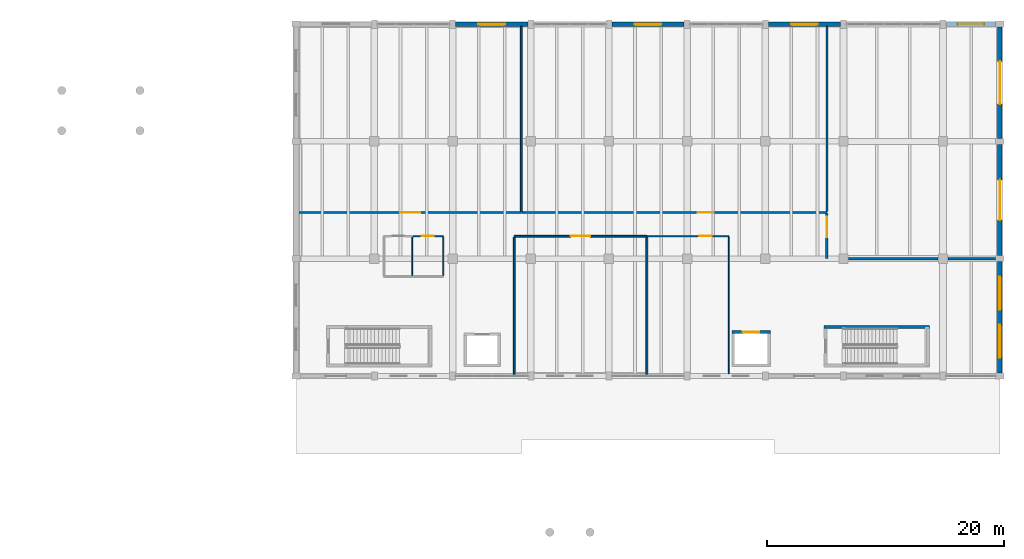
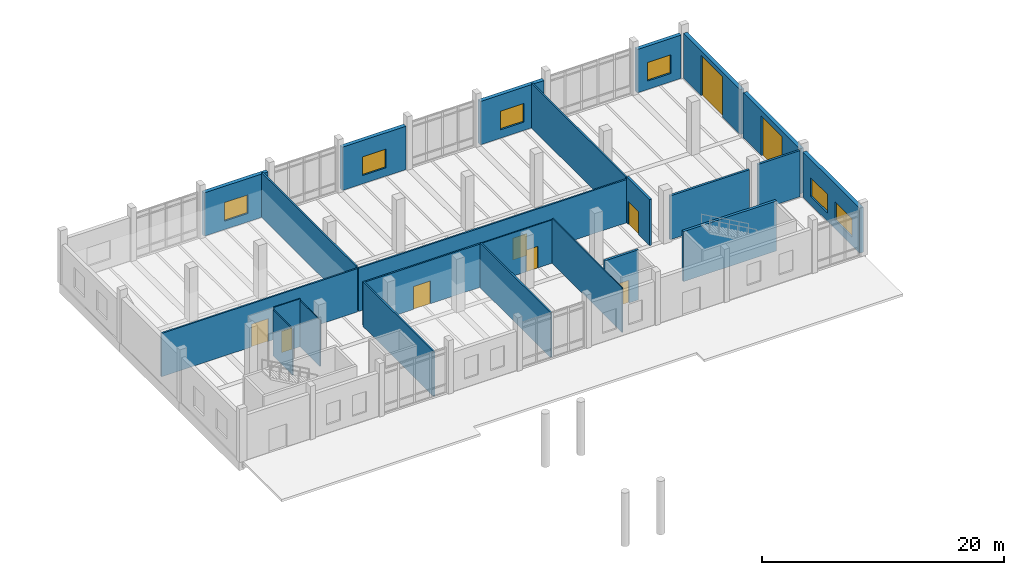
# One storey, part 55 of 72: 24 walls, 9 doors, 6 windows, 15 openings.
"""IFC4 building model written with IfcOpenShell, lengths in metres."""

from ifc_helpers import new_model, si_unit, direction, frame, frame_2d, origin, place, context, subcontext, project, spatial, rectangle, extrude, material, layer, layer_set, type_object, element, fill, save


model = new_model("IFC4")

# Units and contexts
model_context = context("Model", 3, precision=1e-05, world=origin(), true_north=direction((0.0, 1.0)))
body_context = subcontext(model_context, "Body", "Model", "MODEL_VIEW")
ifc_project = project(units=[si_unit("LENGTHUNIT", "METRE"), si_unit("AREAUNIT", "SQUARE_METRE"), si_unit("VOLUMEUNIT", "CUBIC_METRE"), si_unit("PLANEANGLEUNIT", "RADIAN"), si_unit("MASSUNIT", "GRAM", prefix="KILO")], contexts=[model_context])

# Site, building, storey
site_placement = place(None, origin())
site = spatial("IfcSite", under=ifc_project, at=site_placement, CompositionType="ELEMENT")
building_placement = place(site_placement, origin())
building = spatial("IfcBuilding", under=site, at=building_placement, Name="Dornvale Research Institute", CompositionType="ELEMENT")
storey_placement = place(building_placement, origin())
storey = spatial("IfcBuildingStorey", under=building, at=storey_placement, Name="L00", CompositionType="ELEMENT", Elevation=0.0)

# Walls
ifc_material_1 = material(Name="Fire-Rated Gypsum Board on Cold-Formed Steel Studs", Category="steel")
ifc_layer_1 = layer(ifc_material_1, 0.199951171875)
ifc_layer_set_1 = layer_set([ifc_layer_1], Name="Fire-Rated Gypsum Board on Cold-Formed Steel Studs")
wall_type_1 = type_object("IfcWallType", Name="Partition_FireWall_200", PredefinedType="PARTITIONING", material=ifc_layer_set_1)
wall_1_placement = place(storey_placement, frame((165.419921875, 102.300048828125, 0.0), z_axis=(0.0, 0.0, 1.0), x_axis=(1.0, 0.0, 0.0)))
element("IfcWall", 1, at=wall_1_placement, inside=storey, type_object=wall_type_1, Name="L00 V4 interior partition #102", PredefinedType="PARTITIONING", context=body_context, shape_type="SweptSolid", body=[
    extrude(rectangle(XDim=7.56005859375, YDim=0.199951171875, at=frame_2d((3.780029296875, 0.0))), origin(), (0.0, 0.0, 1.0), 4.429931640625),
])
wall_2_placement = place(storey_placement, frame((173.820068359375, 102.300048828125, 0.0), z_axis=(0.0, 0.0, 1.0), x_axis=(1.0, 0.0, 0.0)))
element("IfcWall", 2, at=wall_2_placement, inside=storey, type_object=wall_type_1, Name="L00 V4 interior partition #103", PredefinedType="PARTITIONING", context=body_context, shape_type="SweptSolid", body=[
    extrude(rectangle(XDim=4.010009765625, YDim=0.199951171875, at=frame_2d((2.0048828125, 0.0))), origin(), (0.0, 0.0, 1.0), 4.6650390625),
])

# Wall, opening, door
wall_3_placement = place(storey_placement, frame((163.60009765625, 102.300048828125, 0.0), z_axis=(0.0, 0.0, 1.0), x_axis=(0.0, 1.0, 0.0)))
wall_3 = element("IfcWall", 3, at=wall_3_placement, inside=storey, type_object=wall_type_1, Name="L00 V4 interior partition #104", PredefinedType="PARTITIONING", context=body_context, shape_type="SweptSolid", body=[
    extrude(rectangle(XDim=3.81005859375, YDim=0.199951171875, at=frame_2d((1.905029296875, 0.0))), origin(), (0.0, 0.0, 1.0), 4.6650390625),
])
opening_1_placement = place(wall_3_placement, frame((1.800048828125, 0.0, 0.0)))
opening_1 = element("IfcOpeningElement", 4, at=opening_1_placement, cuts=wall_3, Name="Opening ID-14", PredefinedType="OPENING", context=body_context, shape_type="SweptSolid", body=[
    extrude(rectangle(XDim=1.760009765625, YDim=2.35009765625, at=frame_2d((0.8798828125, 1.175048828125))), frame((0.0, 0.114990234375, 0.0), z_axis=(0.0, -1.0, 0.0), x_axis=(1.0, 0.0, 0.0)), (0.0, 0.0, 1.0), 0.22998046875),
])
ifc_material_2 = material(Name="Insulated Fire-Rated Hollow Metal Door Assembly")
door_type_1 = type_object("IfcDoorType", Name="Door_Plant_1760x2350", OperationType="SINGLE_SWING_LEFT", PredefinedType="DOOR", material=ifc_material_2)
door_1_placement = place(opening_1_placement, origin())
door_1 = element("IfcDoor", 5, at=door_1_placement, inside=storey, type_object=door_type_1, Name="L00 Enclosed Two-Berth Truck Loading Dock door #45", OperationType="DOUBLE_DOOR_SINGLE_SWING", OverallHeight=2.35009765625, OverallWidth=1.760009765625, PredefinedType="DOOR", context=body_context, shape_type="SweptSolid", body=[
    extrude(rectangle(XDim=1.760009765625, YDim=2.35009765625, at=frame_2d((0.8798828125, 1.175048828125))), frame((0.0, 0.02490234375, 0.0), z_axis=(0.0, -1.0, 0.0), x_axis=(1.0, 0.0, 0.0)), (0.0, 0.0, 1.0), 0.050048828125),
])
fill(opening_1, door_1)

ifc_material_3 = material(Name="Acoustic Insulated Double-Stud Laboratory Partition")
ifc_layer_2 = layer(ifc_material_3, 0.14990234375)
ifc_layer_set_2 = layer_set([ifc_layer_2], Name="Acoustic Insulated Double-Stud Laboratory Partition")
wall_type_2 = type_object("IfcWallType", Name="Partition_Lab_150", PredefinedType="PARTITIONING", material=ifc_layer_set_2)
wall_4_placement = place(storey_placement, frame((119.0400390625, 106.199951171875, 0.0), z_axis=(0.0, 0.0, 1.0), x_axis=(1.0, 0.0, 0.0)))
wall_4 = element("IfcWall", 6, at=wall_4_placement, inside=storey, type_object=wall_type_2, Name="L00 V4 interior partition #98", PredefinedType="PARTITIONING", context=body_context, shape_type="SweptSolid", body=[
    extrude(rectangle(XDim=18.760009765625, YDim=0.14990234375, at=frame_2d((9.3798828125, 0.0))), origin(), (0.0, 0.0, 1.0), 4.3798828125),
])
opening_2_placement = place(wall_4_placement, frame((8.590087890625, 0.0, 0.0)))
opening_2 = element("IfcOpeningElement", 7, at=opening_2_placement, cuts=wall_4, Name="Opening ID-04", PredefinedType="OPENING", context=body_context, shape_type="SweptSolid", body=[
    extrude(rectangle(XDim=1.6201171875, YDim=2.300048828125, at=frame_2d((0.81005859375, 1.14990234375))), frame((0.0, 0.08984375, 0.0), z_axis=(0.0, -1.0, 0.0), x_axis=(1.0, 0.0, 0.0)), (0.0, 0.0, 1.0), 0.179931640625),
])
ifc_material_4 = material(Name="Insulated Fire-Rated Hollow Metal Door Assembly")
door_type_2 = type_object("IfcDoorType", Name="Door_WetLab_1620x2300", OperationType="SINGLE_SWING_LEFT", PredefinedType="DOOR", material=ifc_material_4)
door_2_placement = place(opening_2_placement, origin())
door_2 = element("IfcDoor", 8, at=door_2_placement, inside=storey, type_object=door_type_2, Name="L00 Introductory Wet Chemistry Laboratory door #43", OperationType="SINGLE_SWING_RIGHT", OverallHeight=2.300048828125, OverallWidth=1.6201171875, PredefinedType="DOOR", context=body_context, shape_type="SweptSolid", body=[
    extrude(rectangle(XDim=1.6201171875, YDim=2.300048828125, at=frame_2d((0.81005859375, 1.14990234375))), frame((0.0, 0.02490234375, 0.0), z_axis=(0.0, -1.0, 0.0), x_axis=(1.0, 0.0, 0.0)), (0.0, 0.0, 1.0), 0.050048828125),
])
fill(opening_2, door_2)

# Wall
wall_5_placement = place(storey_placement, frame((137.800048828125, 106.2900390625, 0.0), z_axis=(0.0, 0.0, 1.0), x_axis=(0.0, 1.0, 0.0)))
element("IfcWall", 9, at=wall_5_placement, inside=storey, type_object=wall_type_2, Name="L00 V4 interior partition #99", PredefinedType="PARTITIONING", context=body_context, shape_type="SweptSolid", body=[
    extrude(rectangle(XDim=15.614990234375, YDim=0.14990234375, at=frame_2d((7.8076171875, 0.0))), origin(), (0.0, 0.0, 1.0), 4.530029296875),
])

# Wall, opening, door
wall_6_placement = place(storey_placement, frame((137.889892578125, 106.199951171875, 0.0), z_axis=(0.0, 0.0, 1.0), x_axis=(1.0, 0.0, 0.0)))
wall_6 = element("IfcWall", 10, at=wall_6_placement, inside=storey, type_object=wall_type_2, Name="L00 V4 interior partition #100", PredefinedType="PARTITIONING", context=body_context, shape_type="SweptSolid", body=[
    extrude(rectangle(XDim=25.710205078125, YDim=0.14990234375, at=frame_2d((12.85498046875, 0.0))), origin(), (0.0, 0.0, 1.0), 4.3798828125),
])
opening_3_placement = place(wall_6_placement, frame((14.7900390625, 0.0, 0.0)))
opening_3 = element("IfcOpeningElement", 11, at=opening_3_placement, cuts=wall_6, Name="Opening ID-15", PredefinedType="OPENING", context=body_context, shape_type="SweptSolid", body=[
    extrude(rectangle(XDim=1.340087890625, YDim=2.199951171875, at=frame_2d((0.669921875, 1.10009765625))), frame((0.0, 0.08984375, 0.0), z_axis=(0.0, -1.0, 0.0), x_axis=(1.0, 0.0, 0.0)), (0.0, 0.0, 1.0), 0.179931640625),
])
ifc_material_5 = material(Name="Insulated Fire-Rated Hollow Metal Door Assembly")
door_type_3 = type_object("IfcDoorType", Name="Door_Storage_1340x2200", OperationType="SINGLE_SWING_LEFT", PredefinedType="DOOR", material=ifc_material_5)
door_3_placement = place(opening_3_placement, origin())
door_3 = element("IfcDoor", 12, at=door_3_placement, inside=storey, type_object=door_type_3, Name="L00 Specimen Receiving and Cold Room Storage door #44", OperationType="SINGLE_SWING_LEFT", OverallHeight=2.199951171875, OverallWidth=1.340087890625, PredefinedType="DOOR", context=body_context, shape_type="SweptSolid", body=[
    extrude(rectangle(XDim=1.340087890625, YDim=2.199951171875, at=frame_2d((0.669921875, 1.10009765625))), frame((0.0, 0.02490234375, 0.0), z_axis=(0.0, -1.0, 0.0), x_axis=(1.0, 0.0, 0.0)), (0.0, 0.0, 1.0), 0.050048828125),
])
fill(opening_3, door_3)

# Wall
wall_7_placement = place(storey_placement, frame((163.60009765625, 106.2900390625, 0.0), z_axis=(0.0, 0.0, 1.0), x_axis=(0.0, 1.0, 0.0)))
element("IfcWall", 13, at=wall_7_placement, inside=storey, type_object=wall_type_2, Name="L00 V4 interior partition #101", PredefinedType="PARTITIONING", context=body_context, shape_type="SweptSolid", body=[
    extrude(rectangle(XDim=15.614990234375, YDim=0.14990234375, at=frame_2d((7.8076171875, 0.0))), origin(), (0.0, 0.0, 1.0), 4.530029296875),
])

# Wall, opening, door
wall_8_placement = place(storey_placement, frame((137.199951171875, 104.199951171875, 0.0), z_axis=(0.0, 0.0, 1.0), x_axis=(1.0, 0.0, 0.0)))
wall_8 = element("IfcWall", 14, at=wall_8_placement, inside=storey, type_object=wall_type_2, Name="L00 V4 interior partition #105", PredefinedType="PARTITIONING", context=body_context, shape_type="SweptSolid", body=[
    extrude(rectangle(XDim=11.199951171875, YDim=0.14990234375, at=frame_2d((5.60009765625, 0.0))), origin(), (0.0, 0.0, 1.0), 4.3798828125),
])
opening_4_placement = place(wall_8_placement, frame((4.7900390625, 0.0, 0.0)))
opening_4 = element("IfcOpeningElement", 15, at=opening_4_placement, cuts=wall_8, Name="Opening ID-04", PredefinedType="OPENING", context=body_context, shape_type="SweptSolid", body=[
    extrude(rectangle(XDim=1.6201171875, YDim=2.300048828125, at=frame_2d((0.81005859375, 1.14990234375))), frame((0.0, 0.08984375, 0.0), z_axis=(0.0, -1.0, 0.0), x_axis=(1.0, 0.0, 0.0)), (0.0, 0.0, 1.0), 0.179931640625),
])
door_4_placement = place(opening_4_placement, origin())
door_4 = element("IfcDoor", 16, at=door_4_placement, inside=storey, type_object=door_type_2, Name="L00 Laboratory Instrument Support Room L00 door #46", OperationType="SINGLE_SWING_LEFT", OverallHeight=2.300048828125, OverallWidth=1.6201171875, PredefinedType="DOOR", context=body_context, shape_type="SweptSolid", body=[
    extrude(rectangle(XDim=1.6201171875, YDim=2.300048828125, at=frame_2d((0.81005859375, 1.14990234375))), frame((0.0, 0.02490234375, 0.0), z_axis=(0.0, -1.0, 0.0), x_axis=(1.0, 0.0, 0.0)), (0.0, 0.0, 1.0), 0.050048828125),
])
fill(opening_4, door_4)

# Walls
for number, where, z_axis, x_axis, name in (
    (17, (137.199951171875, 92.43994140625, 0.0), (0.0, 0.0, 1.0), (0.0, 1.0, 0.0), "L00 V4 interior partition #106"),
    (18, (148.39990234375, 92.43994140625, 0.0), (0.0, 0.0, 1.0), (0.0, 1.0, 0.0), "L00 V4 interior partition #107"),
):
    element("IfcWall", number, at=place(storey_placement, frame(where, z_axis=z_axis, x_axis=x_axis)), inside=storey, type_object=wall_type_2, Name=name, PredefinedType="PARTITIONING", context=body_context, shape_type="SweptSolid", body=[
        extrude(rectangle(XDim=11.670166015625, YDim=0.14990234375, at=frame_2d((5.8349609375, 0.0))), origin(), (0.0, 0.0, 1.0), 4.530029296875),
    ])
ifc_material_6 = material(Name="Acoustic Insulated Double-Stud Laboratory Partition")
ifc_layer_3 = layer(ifc_material_6, 0.10009765625)
ifc_layer_set_3 = layer_set([ifc_layer_3], Name="Acoustic Insulated Double-Stud Laboratory Partition")
wall_type_3 = type_object("IfcWallType", Name="Partition_Office_100", PredefinedType="PARTITIONING", material=ifc_layer_set_3)
wall_9_placement = place(storey_placement, frame((128.60009765625, 100.864990234375, 0.0), z_axis=(0.0, 0.0, 1.0), x_axis=(0.0, 1.0, 0.0)))
element("IfcWall", 19, at=wall_9_placement, inside=storey, type_object=wall_type_3, Name="L00 V4 interior partition #94", PredefinedType="PARTITIONING", context=body_context, shape_type="SweptSolid", body=[
    extrude(rectangle(XDim=3.27001953125, YDim=0.10009765625, at=frame_2d((1.635009765625, 0.0))), origin(), (0.0, 0.0, 1.0), 4.6650390625),
])

# Wall, opening, door
wall_10_placement = place(storey_placement, frame((128.6650390625, 104.199951171875, 0.0), z_axis=(0.0, 0.0, 1.0), x_axis=(1.0, 0.0, 0.0)))
wall_10 = element("IfcWall", 20, at=wall_10_placement, inside=storey, type_object=wall_type_3, Name="L00 V4 interior partition #96", PredefinedType="PARTITIONING", context=body_context, shape_type="SweptSolid", body=[
    extrude(rectangle(XDim=2.534912109375, YDim=0.10009765625, at=frame_2d((1.267578125, 0.0))), origin(), (0.0, 0.0, 1.0), 4.844970703125),
])
opening_5_placement = place(wall_10_placement, frame((0.735107421875, 0.0, 0.0)))
opening_5 = element("IfcOpeningElement", 21, at=opening_5_placement, cuts=wall_10, Name="Opening ID-24", PredefinedType="OPENING", context=body_context, shape_type="SweptSolid", body=[
    extrude(rectangle(XDim=1.0, YDim=2.14990234375, at=frame_2d((0.5, 1.074951171875))), frame((0.0, 0.06494140625, 0.0), z_axis=(0.0, -1.0, 0.0), x_axis=(1.0, 0.0, 0.0)), (0.0, 0.0, 1.0), 0.130126953125),
])
ifc_material_7 = material(Name="Phenolic-Faced Solid-Core Laboratory Door Assembly")
door_type_4 = type_object("IfcDoorType", Name="Door_AccWC_1000x2150", OperationType="SINGLE_SWING_LEFT", PredefinedType="DOOR", material=ifc_material_7)
door_5_placement = place(opening_5_placement, origin())
door_5 = element("IfcDoor", 22, at=door_5_placement, inside=storey, type_object=door_type_4, Name="L00 Wet Wing Female and Accessible Restroom L00 door #42", OperationType="SINGLE_SWING_LEFT", OverallHeight=2.14990234375, OverallWidth=1.0, PredefinedType="DOOR", context=body_context, shape_type="SweptSolid", body=[
    extrude(rectangle(XDim=1.0, YDim=2.14990234375, at=frame_2d((0.5, 1.074951171875))), frame((0.0, 0.02490234375, 0.0), z_axis=(0.0, -1.0, 0.0), x_axis=(1.0, 0.0, 0.0)), (0.0, 0.0, 1.0), 0.050048828125),
])
fill(opening_5, door_5)

# Wall
wall_11_placement = place(storey_placement, frame((131.199951171875, 100.864990234375, 0.0), z_axis=(0.0, 0.0, 1.0), x_axis=(0.0, 1.0, 0.0)))
element("IfcWall", 23, at=wall_11_placement, inside=storey, type_object=wall_type_3, Name="L00 V4 interior partition #97", PredefinedType="PARTITIONING", context=body_context, shape_type="SweptSolid", body=[
    extrude(rectangle(XDim=3.27001953125, YDim=0.10009765625, at=frame_2d((1.635009765625, 0.0))), origin(), (0.0, 0.0, 1.0), 4.6650390625),
])

# Wall, opening, door
wall_12_placement = place(storey_placement, frame((148.4150390625, 104.199951171875, 0.0), z_axis=(0.0, 0.0, 1.0), x_axis=(1.0, 0.0, 0.0)))
wall_12 = element("IfcWall", 24, at=wall_12_placement, inside=storey, type_object=wall_type_3, Name="L00 V4 interior partition #108", PredefinedType="PARTITIONING", context=body_context, shape_type="SweptSolid", body=[
    extrude(rectangle(XDim=6.885009765625, YDim=0.10009765625, at=frame_2d((3.4423828125, 0.0))), origin(), (0.0, 0.0, 1.0), 4.3798828125),
])
opening_6_placement = place(wall_12_placement, frame((4.405029296875, 0.0, 0.0)))
opening_6 = element("IfcOpeningElement", 25, at=opening_6_placement, cuts=wall_12, Name="Opening ID-19", PredefinedType="OPENING", context=body_context, shape_type="SweptSolid", body=[
    extrude(rectangle(XDim=1.06005859375, YDim=2.199951171875, at=frame_2d((0.530029296875, 1.10009765625))), frame((0.0, 0.06494140625, 0.0), z_axis=(0.0, -1.0, 0.0), x_axis=(1.0, 0.0, 0.0)), (0.0, 0.0, 1.0), 0.130126953125),
])
ifc_material_8 = material(Name="Phenolic-Faced Solid-Core Laboratory Door Assembly")
door_type_5 = type_object("IfcDoorType", Name="Door_WriteUp_1060x2200", OperationType="SINGLE_SWING_LEFT", PredefinedType="DOOR", material=ifc_material_8)
door_6_placement = place(opening_6_placement, origin())
door_6 = element("IfcDoor", 26, at=door_6_placement, inside=storey, type_object=door_type_5, Name="L00 Wet Laboratory Write-Up Bays L00 door #47", OperationType="SINGLE_SWING_RIGHT", OverallHeight=2.199951171875, OverallWidth=1.06005859375, PredefinedType="DOOR", context=body_context, shape_type="SweptSolid", body=[
    extrude(rectangle(XDim=1.06005859375, YDim=2.199951171875, at=frame_2d((0.530029296875, 1.10009765625))), frame((0.0, 0.02490234375, 0.0), z_axis=(0.0, -1.0, 0.0), x_axis=(1.0, 0.0, 0.0)), (0.0, 0.0, 1.0), 0.050048828125),
])
fill(opening_6, door_6)

# Walls
wall_13_placement = place(storey_placement, frame((155.300048828125, 92.594970703125, 0.0), z_axis=(0.0, 0.0, 1.0), x_axis=(0.0, 1.0, 0.0)))
element("IfcWall", 27, at=wall_13_placement, inside=storey, type_object=wall_type_3, Name="L00 V4 interior partition #109", PredefinedType="PARTITIONING", context=body_context, shape_type="SweptSolid", body=[
    extrude(rectangle(XDim=11.5400390625, YDim=0.10009765625, at=frame_2d((5.77001953125, 0.0))), origin(), (0.0, 0.0, 1.0), 4.530029296875),
])
ifc_material_9 = material(Name="Concrete f'c 45 MPa (C35/45)", Category="concrete")
ifc_layer_4 = layer(ifc_material_9, 0.25)
ifc_layer_set_4 = layer_set([ifc_layer_4], Name="Concrete f'c 45 MPa (C35/45)")
wall_type_4 = type_object("IfcWallType", Name="ShearWall_Core_250", PredefinedType="SHEAR", material=ifc_layer_set_4)
wall_14_placement = place(storey_placement, frame((163.35009765625, 96.52490234375, 0.0), z_axis=(0.0, 0.0, 1.0), x_axis=(1.0, 0.0, 0.0)))
element("IfcWall", 28, at=wall_14_placement, inside=storey, type_object=wall_type_4, Name="L00 ST-4 shaft shear wall north", PredefinedType="SHEAR", context=body_context, shape_type="SweptSolid", body=[
    extrude(rectangle(XDim=8.89990234375, YDim=0.25, at=frame_2d((4.449951171875, 0.0))), origin(), (0.0, 0.0, 1.0), 5.06005859375),
])

# Wall, opening, door
ifc_material_10 = material(Name="Concrete f'c 45 MPa (C35/45)", Category="concrete")
ifc_layer_5 = layer(ifc_material_10, 0.219970703125)
ifc_layer_set_5 = layer_set([ifc_layer_5], Name="Concrete f'c 45 MPa (C35/45)")
wall_type_5 = type_object("IfcWallType", Name="ShearWall_Shaft_220", PredefinedType="SHEAR", material=ifc_layer_set_5)
wall_15_placement = place(storey_placement, frame((155.580078125, 96.110107421875, 0.0), z_axis=(0.0, 0.0, 1.0), x_axis=(1.0, 0.0, 0.0)))
wall_15 = element("IfcWall", 29, at=wall_15_placement, inside=storey, type_object=wall_type_5, Name="L00 LS1 elevator shaft wall north", PredefinedType="SHEAR", context=body_context, shape_type="SweptSolid", body=[
    extrude(rectangle(XDim=3.239990234375, YDim=0.219970703125, at=frame_2d((1.6201171875, 0.0))), origin(), (0.0, 0.0, 1.0), 5.06005859375),
])
opening_7_placement = place(wall_15_placement, frame((0.919921875, 0.0, 0.0)))
opening_7 = element("IfcOpeningElement", 30, at=opening_7_placement, cuts=wall_15, Name="Opening LD-03", PredefinedType="OPENING", context=body_context, shape_type="SweptSolid", body=[
    extrude(rectangle(XDim=1.39990234375, YDim=2.300048828125, at=frame_2d((0.699951171875, 1.14990234375))), frame((0.0, 0.125, 0.0), z_axis=(0.0, -1.0, 0.0), x_axis=(1.0, 0.0, 0.0)), (0.0, 0.0, 1.0), 0.25),
])
ifc_material_11 = material(Name="Brushed Stainless Steel Sliding Elevator Landing Door", Category="steel")
door_type_6 = type_object("IfcDoorType", Name="Door_LiftLanding_Serv_1400x2300", OperationType="SINGLE_SWING_LEFT", PredefinedType="DOOR", material=ifc_material_11)
door_7_placement = place(opening_7_placement, origin())
door_7 = element("IfcDoor", 31, at=door_7_placement, inside=storey, type_object=door_type_6, Name="L00 LS1 sliding elevator landing door #46", OperationType="DOUBLE_DOOR_SLIDING", OverallHeight=2.300048828125, OverallWidth=1.39990234375, PredefinedType="DOOR", context=body_context, shape_type="SweptSolid", body=[
    extrude(rectangle(XDim=1.39990234375, YDim=2.300048828125, at=frame_2d((0.699951171875, 1.14990234375))), frame((0.0, 0.02490234375, 0.0), z_axis=(0.0, -1.0, 0.0), x_axis=(1.0, 0.0, 0.0)), (0.0, 0.0, 1.0), 0.050048828125),
])
fill(opening_7, door_7)

# Wall, opening, window
ifc_material_12 = material(Name="Catalan Pressed Brick and Insulated Cavity Assembly", Category="masonry")
ifc_layer_6 = layer(ifc_material_12, 0.360107421875)
ifc_layer_set_6 = layer_set([ifc_layer_6], Name="Catalan Pressed Brick and Insulated Cavity Assembly")
wall_type_6 = type_object("IfcWallType", Name="StandardWall_BrickCavity_360", PredefinedType="STANDARD", material=ifc_layer_set_6)
wall_16_placement = place(storey_placement, frame((132.25, 122.10009765625, 0.0), z_axis=(0.0, 0.0, 1.0), x_axis=(1.0, 0.0, 0.0)))
wall_16 = element("IfcWall", 32, at=wall_16_placement, inside=storey, type_object=wall_type_6, Name="L00 V4 north exterior wall #188", PredefinedType="STANDARD", context=body_context, shape_type="SweptSolid", body=[
    extrude(rectangle(XDim=6.10009765625, YDim=0.360107421875, at=frame_2d((3.050048828125, 0.0))), origin(), (0.0, 0.0, 1.0), 4.3798828125),
])
opening_8_placement = place(wall_16_placement, frame((1.925048828125, 0.0, 0.85009765625)))
opening_8 = element("IfcOpeningElement", 33, at=opening_8_placement, cuts=wall_16, Name="Opening W-32", PredefinedType="OPENING", context=body_context, shape_type="SweptSolid", body=[
    extrude(rectangle(XDim=2.25, YDim=1.8798828125, at=frame_2d((1.125, 0.93994140625))), frame((0.0, 0.195068359375, 0.0), z_axis=(0.0, -1.0, 0.0), x_axis=(1.0, 0.0, 0.0)), (0.0, 0.0, 1.0), 0.39013671875),
])
ifc_material_13 = material(Name="Low-E Argon Double Insulating Glazing Unit", Category="glass")
window_type_1 = type_object("IfcWindowType", Name="Window_Alu_2250x1880_32", PartitioningType="DOUBLE_PANEL_VERTICAL", PredefinedType="WINDOW", material=ifc_material_13)
window_1_placement = place(opening_8_placement, origin())
window_1 = element("IfcWindow", 34, at=window_1_placement, inside=storey, type_object=window_type_1, Name="L00 V4 facade window W-32 #255", OverallHeight=1.8798828125, OverallWidth=2.25, PartitioningType="DOUBLE_PANEL_VERTICAL", PredefinedType="WINDOW", context=body_context, shape_type="SweptSolid", body=[
    extrude(rectangle(XDim=2.25, YDim=1.8798828125, at=frame_2d((1.125, 0.93994140625))), frame((0.0, 0.030029296875, 0.0), z_axis=(0.0, -1.0, 0.0), x_axis=(1.0, 0.0, 0.0)), (0.0, 0.0, 1.0), 0.06005859375),
])
fill(opening_8, window_1)

wall_17_placement = place(storey_placement, frame((145.449951171875, 122.10009765625, 0.0), z_axis=(0.0, 0.0, 1.0), x_axis=(1.0, 0.0, 0.0)))
wall_17 = element("IfcWall", 35, at=wall_17_placement, inside=storey, type_object=wall_type_6, Name="L00 V4 north exterior wall #189", PredefinedType="STANDARD", context=body_context, shape_type="SweptSolid", body=[
    extrude(rectangle(XDim=6.10009765625, YDim=0.360107421875, at=frame_2d((3.050048828125, 0.0))), origin(), (0.0, 0.0, 1.0), 4.3798828125),
])
opening_9_placement = place(wall_17_placement, frame((1.925048828125, 0.0, 0.85009765625)))
opening_9 = element("IfcOpeningElement", 36, at=opening_9_placement, cuts=wall_17, Name="Opening W-32", PredefinedType="OPENING", context=body_context, shape_type="SweptSolid", body=[
    extrude(rectangle(XDim=2.25, YDim=1.8798828125, at=frame_2d((1.125, 0.93994140625))), frame((0.0, 0.195068359375, 0.0), z_axis=(0.0, -1.0, 0.0), x_axis=(1.0, 0.0, 0.0)), (0.0, 0.0, 1.0), 0.39013671875),
])
window_2_placement = place(opening_9_placement, origin())
window_2 = element("IfcWindow", 37, at=window_2_placement, inside=storey, type_object=window_type_1, Name="L00 V4 facade window W-32 #256", OverallHeight=1.8798828125, OverallWidth=2.25, PartitioningType="DOUBLE_PANEL_VERTICAL", PredefinedType="WINDOW", context=body_context, shape_type="SweptSolid", body=[
    extrude(rectangle(XDim=2.25, YDim=1.8798828125, at=frame_2d((1.125, 0.93994140625))), frame((0.0, 0.030029296875, 0.0), z_axis=(0.0, -1.0, 0.0), x_axis=(1.0, 0.0, 0.0)), (0.0, 0.0, 1.0), 0.06005859375),
])
fill(opening_9, window_2)

wall_18_placement = place(storey_placement, frame((158.64990234375, 122.10009765625, 0.0), z_axis=(0.0, 0.0, 1.0), x_axis=(1.0, 0.0, 0.0)))
wall_18 = element("IfcWall", 38, at=wall_18_placement, inside=storey, type_object=wall_type_6, Name="L00 V4 north exterior wall #190", PredefinedType="STANDARD", context=body_context, shape_type="SweptSolid", body=[
    extrude(rectangle(XDim=6.10009765625, YDim=0.360107421875, at=frame_2d((3.050048828125, 0.0))), origin(), (0.0, 0.0, 1.0), 4.3798828125),
])
opening_10_placement = place(wall_18_placement, frame((1.925048828125, 0.0, 0.85009765625)))
opening_10 = element("IfcOpeningElement", 39, at=opening_10_placement, cuts=wall_18, Name="Opening W-32", PredefinedType="OPENING", context=body_context, shape_type="SweptSolid", body=[
    extrude(rectangle(XDim=2.25, YDim=1.8798828125, at=frame_2d((1.125, 0.93994140625))), frame((0.0, 0.195068359375, 0.0), z_axis=(0.0, -1.0, 0.0), x_axis=(1.0, 0.0, 0.0)), (0.0, 0.0, 1.0), 0.39013671875),
])
window_3_placement = place(opening_10_placement, origin())
window_3 = element("IfcWindow", 40, at=window_3_placement, inside=storey, type_object=window_type_1, Name="L00 V4 facade window W-32 #257", OverallHeight=1.8798828125, OverallWidth=2.25, PartitioningType="DOUBLE_PANEL_VERTICAL", PredefinedType="WINDOW", context=body_context, shape_type="SweptSolid", body=[
    extrude(rectangle(XDim=2.25, YDim=1.8798828125, at=frame_2d((1.125, 0.93994140625))), frame((0.0, 0.030029296875, 0.0), z_axis=(0.0, -1.0, 0.0), x_axis=(1.0, 0.0, 0.0)), (0.0, 0.0, 1.0), 0.06005859375),
])
fill(opening_10, window_3)

wall_19_placement = place(storey_placement, frame((173.64990234375, 122.10009765625, 0.0), z_axis=(0.0, 0.0, 1.0), x_axis=(1.0, 0.0, 0.0)))
wall_19 = element("IfcWall", 41, at=wall_19_placement, inside=storey, type_object=wall_type_6, Name="L00 V4 north exterior wall #191", PredefinedType="STANDARD", context=body_context, shape_type="SweptSolid", body=[
    extrude(rectangle(XDim=4.2001953125, YDim=0.360107421875, at=frame_2d((2.10009765625, 0.0))), origin(), (0.0, 0.0, 1.0), 4.3798828125),
])
opening_11_placement = place(wall_19_placement, frame((0.97509765625, 0.0, 0.85009765625)))
opening_11 = element("IfcOpeningElement", 42, at=opening_11_placement, cuts=wall_19, Name="Opening W-32", PredefinedType="OPENING", context=body_context, shape_type="SweptSolid", body=[
    extrude(rectangle(XDim=2.25, YDim=1.8798828125, at=frame_2d((1.125, 0.93994140625))), frame((0.0, 0.195068359375, 0.0), z_axis=(0.0, -1.0, 0.0), x_axis=(1.0, 0.0, 0.0)), (0.0, 0.0, 1.0), 0.39013671875),
])
window_4_placement = place(opening_11_placement, origin())
window_4 = element("IfcWindow", 43, at=window_4_placement, inside=storey, type_object=window_type_1, Name="L00 V4 facade window W-32 #258", OverallHeight=1.8798828125, OverallWidth=2.25, PartitioningType="DOUBLE_PANEL_VERTICAL", PredefinedType="WINDOW", context=body_context, shape_type="SweptSolid", body=[
    extrude(rectangle(XDim=2.25, YDim=1.8798828125, at=frame_2d((1.125, 0.93994140625))), frame((0.0, 0.030029296875, 0.0), z_axis=(0.0, -1.0, 0.0), x_axis=(1.0, 0.0, 0.0)), (0.0, 0.0, 1.0), 0.06005859375),
])
fill(opening_11, window_4)

# Wall, opening, door
wall_20_placement = place(storey_placement, frame((178.199951171875, 121.85009765625, 0.0), z_axis=(0.0, 0.0, 1.0), x_axis=(0.0, -1.0, 0.0)))
wall_20 = element("IfcWall", 44, at=wall_20_placement, inside=storey, type_object=wall_type_6, Name="L00 V4 east exterior wall #192", PredefinedType="STANDARD", context=body_context, shape_type="SweptSolid", body=[
    extrude(rectangle(XDim=9.400146484375, YDim=0.360107421875, at=frame_2d((4.7001953125, 0.0))), origin(), (0.0, 0.0, 1.0), 4.550048828125),
])
opening_12_placement = place(wall_20_placement, frame((2.89990234375, 0.0, 0.0)))
opening_12 = element("IfcOpeningElement", 45, at=opening_12_placement, cuts=wall_20, Name="Opening SH-01", PredefinedType="OPENING", context=body_context, shape_type="SweptSolid", body=[
    extrude(rectangle(XDim=3.60009765625, YDim=4.10009765625, at=frame_2d((1.800048828125, 2.050048828125))), frame((0.0, 0.195068359375, 0.0), z_axis=(0.0, -1.0, 0.0), x_axis=(1.0, 0.0, 0.0)), (0.0, 0.0, 1.0), 0.39013671875),
])
ifc_material_14 = material(Name="Galvanized Hollow Metal Insulated Door Assembly")
door_type_7 = type_object("IfcDoorType", Name="Door_DockShutter_3600x4100", OperationType="SINGLE_SWING_LEFT", PredefinedType="DOOR", material=ifc_material_14)
door_8_placement = place(opening_12_placement, origin())
door_8 = element("IfcDoor", 46, at=door_8_placement, inside=storey, type_object=door_type_7, Name="L00 V4 truck loading shutter SH-01 #21", OperationType="ROLLINGUP", OverallHeight=4.10009765625, OverallWidth=3.60009765625, PredefinedType="DOOR", context=body_context, shape_type="SweptSolid", body=[
    extrude(rectangle(XDim=3.60009765625, YDim=4.10009765625, at=frame_2d((1.800048828125, 2.050048828125))), frame((0.0, 0.02490234375, 0.0), z_axis=(0.0, -1.0, 0.0), x_axis=(1.0, 0.0, 0.0)), (0.0, 0.0, 1.0), 0.050048828125),
])
fill(opening_12, door_8)

wall_21_placement = place(storey_placement, frame((178.199951171875, 111.949951171875, 0.0), z_axis=(0.0, 0.0, 1.0), x_axis=(0.0, -1.0, 0.0)))
wall_21 = element("IfcWall", 47, at=wall_21_placement, inside=storey, type_object=wall_type_6, Name="L00 V4 east exterior wall #193", PredefinedType="STANDARD", context=body_context, shape_type="SweptSolid", body=[
    extrude(rectangle(XDim=9.39990234375, YDim=0.360107421875, at=frame_2d((4.699951171875, 0.0))), origin(), (0.0, 0.0, 1.0), 4.550048828125),
])
opening_13_placement = place(wall_21_placement, frame((3.0, 0.0, 0.0)))
opening_13 = element("IfcOpeningElement", 48, at=opening_13_placement, cuts=wall_21, Name="Opening SH-02", PredefinedType="OPENING", context=body_context, shape_type="SweptSolid", body=[
    extrude(rectangle(XDim=3.39990234375, YDim=4.0, at=frame_2d((1.699951171875, 2.0))), frame((0.0, 0.195068359375, 0.0), z_axis=(0.0, -1.0, 0.0), x_axis=(1.0, 0.0, 0.0)), (0.0, 0.0, 1.0), 0.39013671875),
])
ifc_material_15 = material(Name="Galvanized Hollow Metal Insulated Door Assembly")
door_type_8 = type_object("IfcDoorType", Name="Door_DockShutter_3400x4000", OperationType="SINGLE_SWING_LEFT", PredefinedType="DOOR", material=ifc_material_15)
door_9_placement = place(opening_13_placement, origin())
door_9 = element("IfcDoor", 49, at=door_9_placement, inside=storey, type_object=door_type_8, Name="L00 V4 truck loading shutter SH-02 #22", OperationType="ROLLINGUP", OverallHeight=4.0, OverallWidth=3.39990234375, PredefinedType="DOOR", context=body_context, shape_type="SweptSolid", body=[
    extrude(rectangle(XDim=3.39990234375, YDim=4.0, at=frame_2d((1.699951171875, 2.0))), frame((0.0, 0.02490234375, 0.0), z_axis=(0.0, -1.0, 0.0), x_axis=(1.0, 0.0, 0.0)), (0.0, 0.0, 1.0), 0.050048828125),
])
fill(opening_13, door_9)

# Wall, openings, windows
wall_22_placement = place(storey_placement, frame((178.199951171875, 102.050048828125, 0.0), z_axis=(0.0, 0.0, 1.0), x_axis=(0.0, -1.0, 0.0)))
wall_22 = element("IfcWall", 50, at=wall_22_placement, inside=storey, type_object=wall_type_6, Name="L00 V4 east exterior wall #194", PredefinedType="STANDARD", context=body_context, shape_type="SweptSolid", body=[
    extrude(rectangle(XDim=9.400146484375, YDim=0.360107421875, at=frame_2d((4.7001953125, 0.0))), origin(), (0.0, 0.0, 1.0), 4.550048828125),
])
opening_14_placement = place(wall_22_placement, frame((1.2666015625, 0.0, 0.85009765625)))
opening_14 = element("IfcOpeningElement", 51, at=opening_14_placement, cuts=wall_22, Name="Opening W-35", PredefinedType="OPENING", context=body_context, shape_type="SweptSolid", body=[
    extrude(rectangle(XDim=2.800048828125, YDim=1.8798828125, at=frame_2d((1.39990234375, 0.93994140625))), frame((0.0, 0.195068359375, 0.0), z_axis=(0.0, -1.0, 0.0), x_axis=(1.0, 0.0, 0.0)), (0.0, 0.0, 1.0), 0.39013671875),
])
opening_15_placement = place(wall_22_placement, frame((5.33349609375, 0.0, 0.85009765625)))
opening_15 = element("IfcOpeningElement", 52, at=opening_15_placement, cuts=wall_22, Name="Opening W-35", PredefinedType="OPENING", context=body_context, shape_type="SweptSolid", body=[
    extrude(rectangle(XDim=2.800048828125, YDim=1.8798828125, at=frame_2d((1.39990234375, 0.93994140625))), frame((0.0, 0.195068359375, 0.0), z_axis=(0.0, -1.0, 0.0), x_axis=(1.0, 0.0, 0.0)), (0.0, 0.0, 1.0), 0.39013671875),
])
ifc_material_16 = material(Name="Low-E Argon Double Insulating Glazing Unit", Category="glass")
window_type_2 = type_object("IfcWindowType", Name="Window_Alu_2800x1880_35", PartitioningType="DOUBLE_PANEL_VERTICAL", PredefinedType="WINDOW", material=ifc_material_16)
window_5_placement = place(opening_14_placement, origin())
window_5 = element("IfcWindow", 53, at=window_5_placement, inside=storey, type_object=window_type_2, Name="L00 V4 facade window W-35 #259", OverallHeight=1.8798828125, OverallWidth=2.800048828125, PartitioningType="DOUBLE_PANEL_VERTICAL", PredefinedType="WINDOW", context=body_context, shape_type="SweptSolid", body=[
    extrude(rectangle(XDim=2.800048828125, YDim=1.8798828125, at=frame_2d((1.39990234375, 0.93994140625))), frame((0.0, 0.030029296875, 0.0), z_axis=(0.0, -1.0, 0.0), x_axis=(1.0, 0.0, 0.0)), (0.0, 0.0, 1.0), 0.06005859375),
])
fill(opening_14, window_5)
window_6_placement = place(opening_15_placement, origin())
window_6 = element("IfcWindow", 54, at=window_6_placement, inside=storey, type_object=window_type_2, Name="L00 V4 facade window W-35 #260", OverallHeight=1.8798828125, OverallWidth=2.800048828125, PartitioningType="DOUBLE_PANEL_VERTICAL", PredefinedType="WINDOW", context=body_context, shape_type="SweptSolid", body=[
    extrude(rectangle(XDim=2.800048828125, YDim=1.8798828125, at=frame_2d((1.39990234375, 0.93994140625))), frame((0.0, 0.030029296875, 0.0), z_axis=(0.0, -1.0, 0.0), x_axis=(1.0, 0.0, 0.0)), (0.0, 0.0, 1.0), 0.06005859375),
])
fill(opening_15, window_6)

save(model, "model.ifc")
